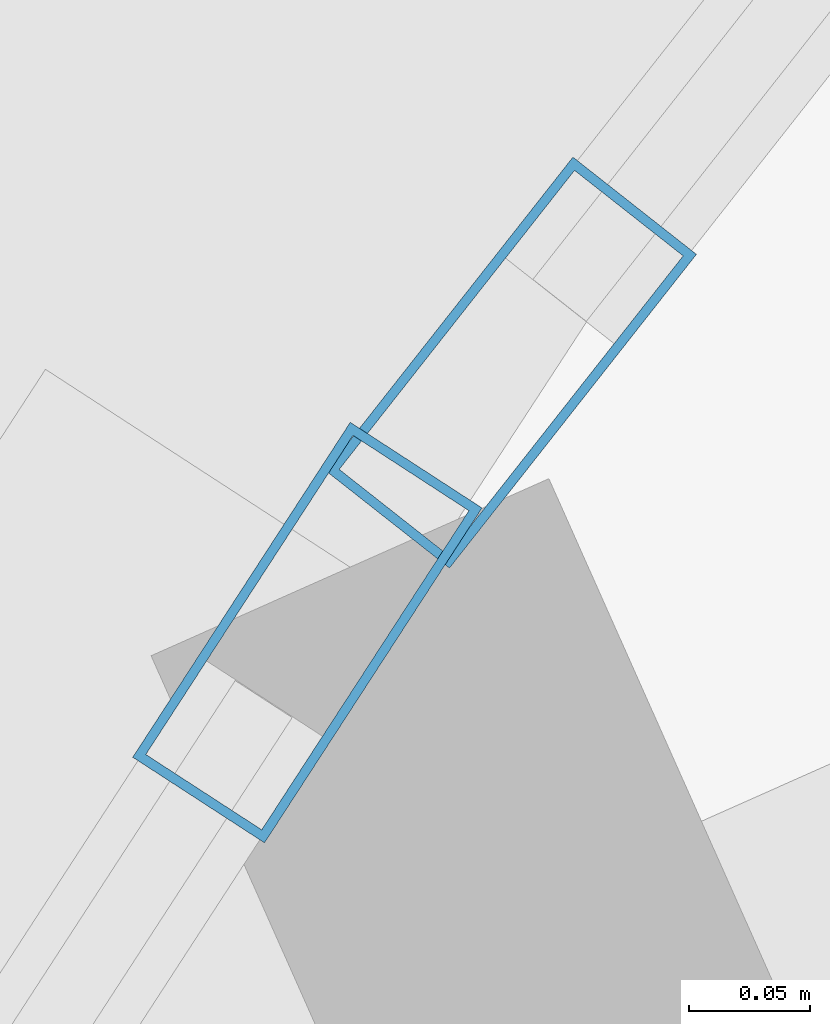
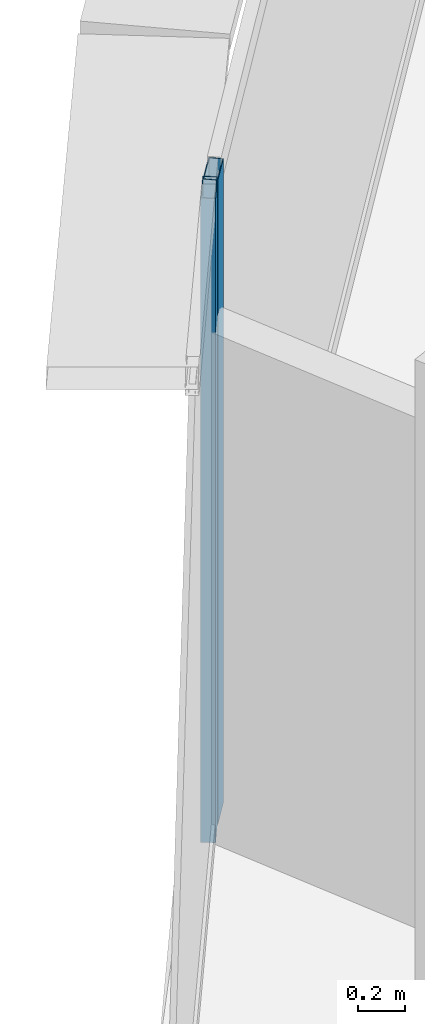
# One storey, part 17 of 38: 2 members, 2 elements without a shape of their own.
"""IFC4 building model written with IfcOpenShell, lengths in metres."""

from ifc_helpers import new_model, si_unit, direction, frame, origin, origin_2d, place, context, subcontext, project, spatial, hollow_rectangle, extrude, source, transform, mapped, material, layer, layer_set, material_profile, profile_set, type_object, element, aggregate, save


model = new_model("IFC4")

# Units and contexts
model_context = context("Model", 3, precision=1e-05, world=origin(), true_north=direction((0.0, 1.0)))
body_context = subcontext(model_context, "Body", "Model", "MODEL_VIEW")
ifc_project = project(units=[si_unit("LENGTHUNIT", "METRE"), si_unit("AREAUNIT", "SQUARE_METRE"), si_unit("VOLUMEUNIT", "CUBIC_METRE"), si_unit("PLANEANGLEUNIT", "RADIAN"), si_unit("MASSUNIT", "GRAM", prefix="KILO"), si_unit("THERMODYNAMICTEMPERATUREUNIT", "KELVIN"), si_unit("POWERUNIT", "WATT")], contexts=[model_context])

# Site, building, storey
site_placement = place(None, origin())
site = spatial("IfcSite", under=ifc_project, at=site_placement, CompositionType="ELEMENT")
building_placement = place(site_placement, origin())
building = spatial("IfcBuilding", under=site, at=building_placement, Name="Yunzhuo Pagoda Commons", CompositionType="ELEMENT")
storey_placement = place(building_placement, frame((0.0, 0.0, 37.659912109375)))
storey = spatial("IfcBuildingStorey", under=building, at=storey_placement, Name="L09", CompositionType="ELEMENT", Elevation=37.659912109375)

# Curtain wall, member
ifc_material = material(Name="Anodized aluminium 6063-T6", Category="aluminium")
ifc_layer = layer(ifc_material, 0.1650390625)
ifc_layer_set = layer_set([ifc_layer], Name="Anodized aluminium 6063-T6")
curtain_wall_type = type_object("IfcCurtainWallType", Name="CW-LOW Low-Zone Ribbon Curtain Wall", PredefinedType="NOTDEFINED", material=ifc_layer_set)
curtain_wall_1_placement = place(storey_placement, origin())
curtain_wall_1 = element("IfcCurtainWall", 1, at=curtain_wall_1_placement, inside=storey, type_object=curtain_wall_type, Name="L09 curtain wall CW-L09-F3B2", PredefinedType="NOTDEFINED")
ifc_material_profile = material_profile(ifc_material, hollow_rectangle(XDim=0.06494140625, YDim=0.1650390625, WallThickness=0.00390625, at=origin_2d()), Name="Anodized aluminium 6063-T6")
ifc_profile_set = profile_set([ifc_material_profile], Name="Anodized aluminium 6063-T6")
member_type = type_object("IfcMemberType", Name="CW-LOW-M Mullion RHS 165x65x4", PredefinedType="MULLION", material=ifc_profile_set)
shared_shape = source(origin(), body_context, "Body", "SweptSolid", [
    extrude(hollow_rectangle(XDim=0.06494140625, YDim=0.1650390625, WallThickness=0.00390625, at=origin_2d()), origin(), (0.0, 0.0, 1.0), 3.3701171875),
])
member_1_placement = place(storey_placement, frame((30.54296875, 72.84228515625, 0.0), z_axis=(0.0, 0.0, 1.0), x_axis=(0.83865240069, -0.544667009114, 0.0)))
member_1 = element("IfcMember", 2, at=member_1_placement, type_object=member_type, Name="CW mullion 1", PredefinedType="MULLION", context=body_context, shape_type="MappedRepresentation", body=[
    mapped(shared_shape, transform((0.0, 0.0, 0.0), scale=1.0)),
])
aggregate(curtain_wall_1, [member_1])

curtain_wall_2_placement = place(storey_placement, origin())
curtain_wall_2 = element("IfcCurtainWall", 3, at=curtain_wall_2_placement, inside=storey, type_object=curtain_wall_type, Name="L09 curtain wall CW-L09-F3B1", PredefinedType="NOTDEFINED")
member_2_placement = place(storey_placement, frame((30.627197265625, 72.953857421875, 0.0), z_axis=(0.0, 0.0, 1.0), x_axis=(0.785799632369, -0.618481153932, 0.0)))
member_2 = element("IfcMember", 4, at=member_2_placement, type_object=member_type, Name="CW mullion 3", PredefinedType="MULLION", context=body_context, shape_type="MappedRepresentation", body=[
    mapped(shared_shape, transform((0.0, 0.0, 0.0), scale=1.0)),
])
aggregate(curtain_wall_2, [member_2])

save(model, "model.ifc")
